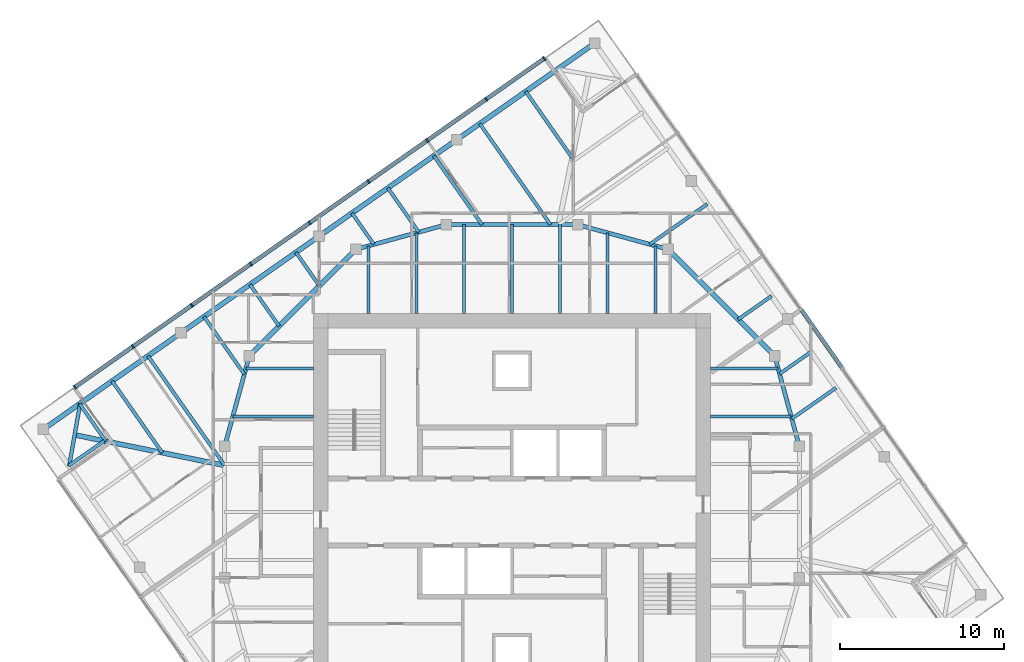
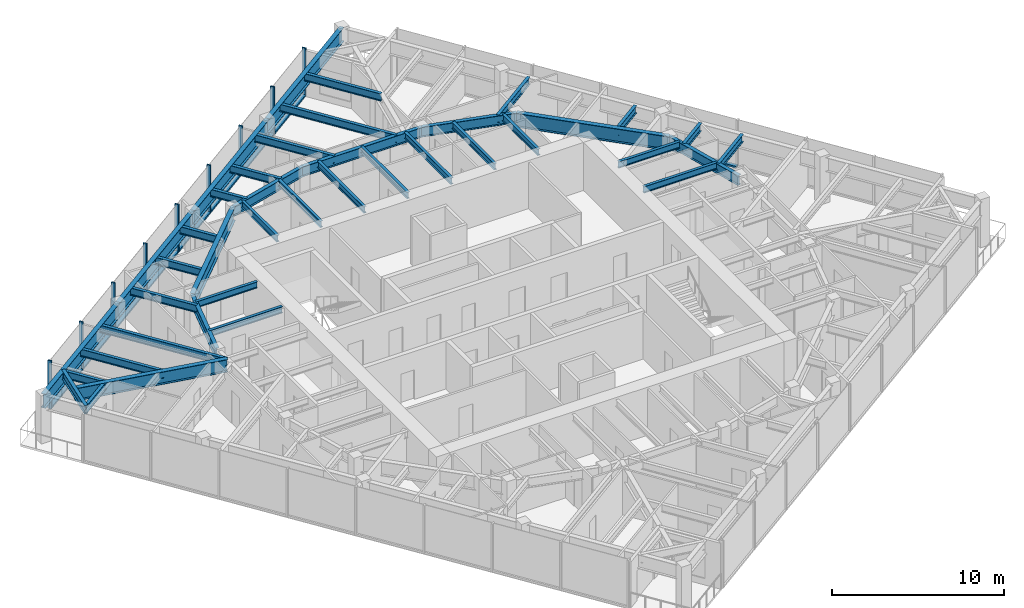
# One storey, part 4 of 13: 40 beams, 18 members, 2 elements without a shape of their own.
"""IFC4 building model written with IfcOpenShell, lengths in metres."""

from ifc_helpers import new_model, si_unit, direction, frame, origin, origin_2d, place, context, subcontext, project, spatial, rectangle, i_section, extrude, material, material_profile, profile_set, type_object, element, aggregate, save


model = new_model("IFC4")

# Units and contexts
model_context = context("Model", 3, precision=1e-05, world=origin(), true_north=direction((0.0, 1.0)))
body_context = subcontext(model_context, "Body", "Model", "MODEL_VIEW")
ifc_project = project(units=[si_unit("LENGTHUNIT", "METRE"), si_unit("AREAUNIT", "SQUARE_METRE"), si_unit("VOLUMEUNIT", "CUBIC_METRE"), si_unit("PLANEANGLEUNIT", "RADIAN"), si_unit("MASSUNIT", "GRAM", prefix="KILO")], contexts=[model_context])

# Site, building, storey
site_placement = place(None, origin())
site = spatial("IfcSite", under=ifc_project, at=site_placement, CompositionType="ELEMENT")
building_placement = place(site_placement, origin())
building = spatial("IfcBuilding", under=site, at=building_placement, Name="Torsade Residences", CompositionType="ELEMENT")
storey_placement = place(building_placement, frame((0.0, 0.0, 260.800048828125)))
storey = spatial("IfcBuildingStorey", under=building, at=storey_placement, Name="L72", CompositionType="ELEMENT", Elevation=260.800048828125)

# Beams
ifc_material_1 = material(Name="Steel grade 300", Category="steel")
ifc_material_profile_1 = material_profile(ifc_material_1, i_section(OverallWidth=0.300048828125, OverallDepth=0.89990234375, WebThickness=0.011962890625, FlangeThickness=0.02490234375, at=origin_2d()), Name="900WB175")
ifc_profile_set_1 = profile_set([ifc_material_profile_1], Name="Steel grade 300")
beam_type_1 = type_object("IfcBeamType", Name="CORNER GIRDER 900WB175", PredefinedType="BEAM", material=ifc_profile_set_1)
beam_1_placement = place(storey_placement, frame((13.364013671875, 34.696533203125, 2.800048828125), z_axis=(0.979880626756, -0.199584461589, 0.0), x_axis=(0.199584461589, 0.979880626756, 0.0)))
element("IfcBeam", 1, at=beam_1_placement, inside=storey, type_object=beam_type_1, Name="Corner girder 13 L73", PredefinedType="BEAM", context=body_context, shape_type="SweptSolid", body=[
    extrude(i_section(OverallWidth=0.300048828125, OverallDepth=0.89990234375, WebThickness=0.011962890625, FlangeThickness=0.02490234375, at=origin_2d()), origin(), (0.0, 0.0, 1.0), 9.323486328125),
])
ifc_material_2 = material(Name="Steel grade 300", Category="steel")
ifc_material_profile_2 = material_profile(ifc_material_2, i_section(OverallWidth=0.22802734375, OverallDepth=0.60205078125, WebThickness=0.010498046875, FlangeThickness=0.014892578125, FilletRadius=0.013916015625, at=origin_2d()), Name="610UB101")
ifc_profile_set_2 = profile_set([ifc_material_profile_2], Name="Steel grade 300")
beam_type_2 = type_object("IfcBeamType", Name="CORNER TRIMMER 610UB101", PredefinedType="BEAM", material=ifc_profile_set_2)
beam_2_placement = place(storey_placement, frame((13.0263671875, 32.78173828125, 2.948974609375), z_axis=(0.173645660267, 0.984808196894, 0.0), x_axis=(-0.984808196894, 0.173645660267, 0.0)))
element("IfcBeam", 2, at=beam_2_placement, inside=storey, type_object=beam_type_2, Name="Corner trimmer 13 L73", PredefinedType="BEAM", context=body_context, shape_type="SweptSolid", body=[
    extrude(i_section(OverallWidth=0.22802734375, OverallDepth=0.60205078125, WebThickness=0.010498046875, FlangeThickness=0.014892578125, FilletRadius=0.013916015625, at=origin_2d()), origin(), (0.0, 0.0, 1.0), 3.888916015625),
])
ifc_material_3 = material(Name="Steel grade 300", Category="steel")
ifc_material_profile_3 = material_profile(ifc_material_3, i_section(OverallWidth=0.300048828125, OverallDepth=1.0, WebThickness=0.01611328125, FlangeThickness=0.028076171875, at=origin_2d()), Name="1000WB215")
ifc_profile_set_3 = profile_set([ifc_material_profile_3], Name="Steel grade 300")
beam_type_3 = type_object("IfcBeamType", Name="EDGE BEAM 1000WB215", PredefinedType="SPANDREL", material=ifc_profile_set_3)
for number, where, z_axis, x_axis, name in (
    (3, (45.0341796875, 58.551025390625, 2.75), (-0.819150225126, -0.573579034377, 0.0), (0.573579034377, -0.819150225126, 0.0), "Edge beam 09 L73"),
    (4, (36.637939453125, 52.671875, 2.75), (-0.819150225126, -0.573579034377, 0.0), (0.573579034377, -0.819150225126, 0.0), "Edge beam 10 L73"),
    (5, (28.24169921875, 46.792724609375, 2.75), (-0.819150225126, -0.573579034377, 0.0), (0.573579034377, -0.819150225126, 0.0), "Edge beam 11 L73"),
):
    element("IfcBeam", number, at=place(storey_placement, frame(where, z_axis=z_axis, x_axis=x_axis)), inside=storey, type_object=beam_type_3, Name=name, PredefinedType="SPANDREL", context=body_context, shape_type="SweptSolid", body=[
        extrude(i_section(OverallWidth=0.300048828125, OverallDepth=1.0, WebThickness=0.01611328125, FlangeThickness=0.028076171875, at=origin_2d()), origin(), (0.0, 0.0, 1.0), 10.25),
    ])
beam_3_placement = place(storey_placement, frame((19.845458984375, 40.91357421875, 2.75), z_axis=(-0.819146870247, -0.573583825578, 0.0), x_axis=(0.573583825578, -0.819146870247, 0.0)))
element("IfcBeam", 6, at=beam_3_placement, inside=storey, type_object=beam_type_3, Name="Edge beam 12 L73", PredefinedType="SPANDREL", context=body_context, shape_type="SweptSolid", body=[
    extrude(i_section(OverallWidth=0.300048828125, OverallDepth=1.0, WebThickness=0.01611328125, FlangeThickness=0.028076171875, at=origin_2d()), origin(), (0.0, 0.0, 1.0), 10.250244140625),
])

# Curtain wall, members
ifc_material_4 = material(Name="Aluminium and glass", Category="aluminium")
curtain_wall_type = type_object("IfcCurtainWallType", Name="FRITTED GLASS CURTAIN WALL HIGH ZONE", PredefinedType="NOTDEFINED", material=ifc_material_4)
curtain_wall_1_placement = place(storey_placement, origin())
curtain_wall_1 = element("IfcCurtainWall", 7, at=curtain_wall_1_placement, inside=storey, type_object=curtain_wall_type, Name="Curtain wall L72 face 7", PredefinedType="NOTDEFINED")
ifc_material_5 = material(Name="Aluminium mullion", Category="aluminium")
ifc_material_profile_4 = material_profile(ifc_material_5, rectangle(XDim=0.25, YDim=0.10009765625, at=origin_2d()), Name="HIGH ZONE CURTAIN WALL MULLION 250x100")
ifc_profile_set_4 = profile_set([ifc_material_profile_4], Name="Aluminium mullion")
member_type_1 = type_object("IfcMemberType", Name="HIGH ZONE CURTAIN WALL MULLION 250x100", PredefinedType="MULLION", material=ifc_profile_set_4)
member_1_placement = place(storey_placement, frame((41.96240234375, 57.62060546875, 0.0), z_axis=(0.0, 0.0, 1.0), x_axis=(0.573576457682, -0.819152029353, 0.0)))
member_1 = element("IfcMember", 8, at=member_1_placement, type_object=member_type_1, Name="Mullion 1", PredefinedType="MULLION", context=body_context, shape_type="SweptSolid", body=[
    extrude(rectangle(XDim=0.25, YDim=0.10009765625, at=origin_2d()), origin(), (0.0, 0.0, 1.0), 3.39990234375),
])
member_2_placement = place(storey_placement, frame((38.41943359375, 55.139892578125, 0.0), z_axis=(0.0, 0.0, 1.0), x_axis=(0.573576457682, -0.819152029353, 0.0)))
member_2 = element("IfcMember", 9, at=member_2_placement, type_object=member_type_1, Name="Mullion 2", PredefinedType="MULLION", context=body_context, shape_type="SweptSolid", body=[
    extrude(rectangle(XDim=0.25, YDim=0.10009765625, at=origin_2d()), origin(), (0.0, 0.0, 1.0), 3.39990234375),
])
member_3_placement = place(storey_placement, frame((34.835693359375, 52.630615234375, 0.0), z_axis=(0.0, 0.0, 1.0), x_axis=(0.573576457682, -0.819152029353, 0.0)))
member_3 = element("IfcMember", 10, at=member_3_placement, type_object=member_type_1, Name="Mullion 3", PredefinedType="MULLION", context=body_context, shape_type="SweptSolid", body=[
    extrude(rectangle(XDim=0.25, YDim=0.10009765625, at=origin_2d()), origin(), (0.0, 0.0, 1.0), 3.39990234375),
])
member_4_placement = place(storey_placement, frame((31.251953125, 50.12109375, 0.0), z_axis=(0.0, 0.0, 1.0), x_axis=(0.573576457682, -0.819152029353, 0.0)))
member_4 = element("IfcMember", 11, at=member_4_placement, type_object=member_type_1, Name="Mullion 4", PredefinedType="MULLION", context=body_context, shape_type="SweptSolid", body=[
    extrude(rectangle(XDim=0.25, YDim=0.10009765625, at=origin_2d()), origin(), (0.0, 0.0, 1.0), 3.39990234375),
])
member_5_placement = place(storey_placement, frame((27.668212890625, 47.61181640625, 0.0), z_axis=(0.0, 0.0, 1.0), x_axis=(0.573576457682, -0.819152029353, 0.0)))
member_5 = element("IfcMember", 12, at=member_5_placement, type_object=member_type_1, Name="Mullion 5", PredefinedType="MULLION", context=body_context, shape_type="SweptSolid", body=[
    extrude(rectangle(XDim=0.25, YDim=0.10009765625, at=origin_2d()), origin(), (0.0, 0.0, 1.0), 3.39990234375),
])
member_6_placement = place(storey_placement, frame((24.084228515625, 45.102294921875, 0.0), z_axis=(0.0, 0.0, 1.0), x_axis=(0.573576457682, -0.819152029353, 0.0)))
member_6 = element("IfcMember", 13, at=member_6_placement, type_object=member_type_1, Name="Mullion 6", PredefinedType="MULLION", context=body_context, shape_type="SweptSolid", body=[
    extrude(rectangle(XDim=0.25, YDim=0.10009765625, at=origin_2d()), origin(), (0.0, 0.0, 1.0), 3.39990234375),
])
member_7_placement = place(storey_placement, frame((20.50048828125, 42.593017578125, 0.0), z_axis=(0.0, 0.0, 1.0), x_axis=(0.573576457682, -0.819152029353, 0.0)))
member_7 = element("IfcMember", 14, at=member_7_placement, type_object=member_type_1, Name="Mullion 7", PredefinedType="MULLION", context=body_context, shape_type="SweptSolid", body=[
    extrude(rectangle(XDim=0.25, YDim=0.10009765625, at=origin_2d()), origin(), (0.0, 0.0, 1.0), 3.39990234375),
])
member_8_placement = place(storey_placement, frame((16.916748046875, 40.08349609375, 0.0), z_axis=(0.0, 0.0, 1.0), x_axis=(0.573576457682, -0.819152029353, 0.0)))
member_8 = element("IfcMember", 15, at=member_8_placement, type_object=member_type_1, Name="Mullion 8", PredefinedType="MULLION", context=body_context, shape_type="SweptSolid", body=[
    extrude(rectangle(XDim=0.25, YDim=0.10009765625, at=origin_2d()), origin(), (0.0, 0.0, 1.0), 3.39990234375),
])
member_9_placement = place(storey_placement, frame((13.3740234375, 37.602783203125, 0.0), z_axis=(0.0, 0.0, 1.0), x_axis=(0.573576457682, -0.819152029353, 0.0)))
member_9 = element("IfcMember", 16, at=member_9_placement, type_object=member_type_1, Name="Mullion 9", PredefinedType="MULLION", context=body_context, shape_type="SweptSolid", body=[
    extrude(rectangle(XDim=0.25, YDim=0.10009765625, at=origin_2d()), origin(), (0.0, 0.0, 1.0), 3.39990234375),
])

# Curtain wall, member
curtain_wall_2_placement = place(storey_placement, origin())
curtain_wall_2 = element("IfcCurtainWall", 17, at=curtain_wall_2_placement, inside=storey, type_object=curtain_wall_type, Name="Curtain wall L72 face 4", PredefinedType="NOTDEFINED")
ifc_material_6 = material(Name="Aluminium transom", Category="aluminium")
ifc_material_profile_5 = material_profile(ifc_material_6, rectangle(XDim=0.25, YDim=0.1201171875, at=origin_2d()), Name="HIGH ZONE CURTAIN WALL TRANSOM 250x120")
ifc_profile_set_5 = profile_set([ifc_material_profile_5], Name="Aluminium transom")
member_type_2 = type_object("IfcMemberType", Name="HIGH ZONE CURTAIN WALL TRANSOM 250x120", PredefinedType="USERDEFINED", material=ifc_profile_set_5)
member_10_placement = place(storey_placement, frame((60.092529296875, 38.7890625, 0.06005859375), z_axis=(-0.57358498433, 0.819146058863, 0.0), x_axis=(-0.819146058863, -0.57358498433, 0.0)))
member_10 = element("IfcMember", 18, at=member_10_placement, type_object=member_type_2, Name="Transom 4.1", ObjectType="TRANSOM", PredefinedType="USERDEFINED", context=body_context, shape_type="SweptSolid", body=[
    extrude(rectangle(XDim=0.25, YDim=0.1201171875, at=origin_2d()), origin(), (0.0, 0.0, 1.0), 4.275146484375),
])
aggregate(curtain_wall_2, [member_10])

# Member
member_11_placement = place(storey_placement, frame((41.92138671875, 57.592041015625, 0.06005859375), z_axis=(-0.819155901234, -0.573570928023, 0.0), x_axis=(0.573570928023, -0.819155901234, 0.0)))
member_11 = element("IfcMember", 19, at=member_11_placement, type_object=member_type_2, Name="Transom 1.1", ObjectType="TRANSOM", PredefinedType="USERDEFINED", context=body_context, shape_type="SweptSolid", body=[
    extrude(rectangle(XDim=0.25, YDim=0.1201171875, at=origin_2d()), origin(), (0.0, 0.0, 1.0), 4.22509765625),
])

member_12_placement = place(storey_placement, frame((38.37841796875, 55.111328125, 0.06005859375), z_axis=(-0.819127269283, -0.573611817101, 0.0), x_axis=(0.573611817101, -0.819127269283, 0.0)))
member_12 = element("IfcMember", 20, at=member_12_placement, type_object=member_type_2, Name="Transom 2.1", ObjectType="TRANSOM", PredefinedType="USERDEFINED", context=body_context, shape_type="SweptSolid", body=[
    extrude(rectangle(XDim=0.25, YDim=0.1201171875, at=origin_2d()), origin(), (0.0, 0.0, 1.0), 4.27490234375),
])

member_13_placement = place(storey_placement, frame((34.794677734375, 52.601806640625, 0.06005859375), z_axis=(-0.819154102984, -0.573573496219, 0.0), x_axis=(0.573573496219, -0.819154102984, 0.0)))
member_13 = element("IfcMember", 21, at=member_13_placement, type_object=member_type_2, Name="Transom 3.1", ObjectType="TRANSOM", PredefinedType="USERDEFINED", context=body_context, shape_type="SweptSolid", body=[
    extrude(rectangle(XDim=0.25, YDim=0.1201171875, at=origin_2d()), origin(), (0.0, 0.0, 1.0), 4.27490234375),
])

member_14_placement = place(storey_placement, frame((31.2109375, 50.092529296875, 0.06005859375), z_axis=(-0.819146058863, -0.57358498433, 0.0), x_axis=(0.57358498433, -0.819146058863, 0.0)))
member_14 = element("IfcMember", 22, at=member_14_placement, type_object=member_type_2, Name="Transom 4.1", ObjectType="TRANSOM", PredefinedType="USERDEFINED", context=body_context, shape_type="SweptSolid", body=[
    extrude(rectangle(XDim=0.25, YDim=0.1201171875, at=origin_2d()), origin(), (0.0, 0.0, 1.0), 4.275146484375),
])

member_15_placement = place(storey_placement, frame((27.627197265625, 47.5830078125, 0.06005859375), z_axis=(-0.81917289067, -0.573546663483, 0.0), x_axis=(0.573546663483, -0.81917289067, 0.0)))
member_15 = element("IfcMember", 23, at=member_15_placement, type_object=member_type_2, Name="Transom 5.1", ObjectType="TRANSOM", PredefinedType="USERDEFINED", context=body_context, shape_type="SweptSolid", body=[
    extrude(rectangle(XDim=0.25, YDim=0.1201171875, at=origin_2d()), origin(), (0.0, 0.0, 1.0), 4.27490234375),
])

member_16_placement = place(storey_placement, frame((24.04345703125, 45.07373046875, 0.06005859375), z_axis=(-0.819146058863, -0.57358498433, 0.0), x_axis=(0.57358498433, -0.819146058863, 0.0)))
member_16 = element("IfcMember", 24, at=member_16_placement, type_object=member_type_2, Name="Transom 6.1", ObjectType="TRANSOM", PredefinedType="USERDEFINED", context=body_context, shape_type="SweptSolid", body=[
    extrude(rectangle(XDim=0.25, YDim=0.1201171875, at=origin_2d()), origin(), (0.0, 0.0, 1.0), 4.275146484375),
])

member_17_placement = place(storey_placement, frame((20.45947265625, 42.564208984375, 0.06005859375), z_axis=(-0.819154102984, -0.573573496219, 0.0), x_axis=(0.573573496219, -0.819154102984, 0.0)))
member_17 = element("IfcMember", 25, at=member_17_placement, type_object=member_type_2, Name="Transom 7.1", ObjectType="TRANSOM", PredefinedType="USERDEFINED", context=body_context, shape_type="SweptSolid", body=[
    extrude(rectangle(XDim=0.25, YDim=0.1201171875, at=origin_2d()), origin(), (0.0, 0.0, 1.0), 4.27490234375),
])

member_18_placement = place(storey_placement, frame((16.875732421875, 40.054931640625, 0.06005859375), z_axis=(-0.819155901234, -0.573570928023, 0.0), x_axis=(0.573570928023, -0.819155901234, 0.0)))
member_18 = element("IfcMember", 26, at=member_18_placement, type_object=member_type_2, Name="Transom 8.1", ObjectType="TRANSOM", PredefinedType="USERDEFINED", context=body_context, shape_type="SweptSolid", body=[
    extrude(rectangle(XDim=0.25, YDim=0.1201171875, at=origin_2d()), origin(), (0.0, 0.0, 1.0), 4.22509765625),
])

aggregate(curtain_wall_1, [member_1, member_2, member_3, member_4, member_5, member_6, member_7, member_8, member_9, member_11, member_12, member_13, member_14, member_15, member_16, member_17, member_18])

# Beams
ifc_material_7 = material(Name="Steel grade 300", Category="steel")
ifc_material_profile_6 = material_profile(ifc_material_7, i_section(OverallWidth=0.18994140625, OverallDepth=0.4541015625, WebThickness=0.008544921875, FlangeThickness=0.0126953125, FilletRadius=0.011474609375, at=origin_2d()), Name="460UB67.1")
ifc_profile_set_6 = profile_set([ifc_material_profile_6], Name="Steel grade 300")
beam_type_4 = type_object("IfcBeamType", Name="INNER FLOOR BEAM 460UB67.1", PredefinedType="JOIST", material=ifc_profile_set_6)
beam_4_placement = place(storey_placement, frame((31.262451171875, 42.10009765625, 3.02294921875), z_axis=(0.0, 1.0, 0.0), x_axis=(-1.0, 0.0, 0.0)))
element("IfcBeam", 27, at=beam_4_placement, inside=storey, type_object=beam_type_4, Name="Inner floor beam IN01 L73", PredefinedType="JOIST", context=body_context, shape_type="SweptSolid", body=[
    extrude(i_section(OverallWidth=0.18994140625, OverallDepth=0.4541015625, WebThickness=0.008544921875, FlangeThickness=0.0126953125, FilletRadius=0.011474609375, at=origin_2d()), origin(), (0.0, 0.0, 1.0), 4.10791015625),
])
beam_5_placement = place(storey_placement, frame((34.175048828125, 42.10009765625, 3.02294921875), z_axis=(0.0, 1.0, 0.0), x_axis=(-1.0, 0.0, 0.0)))
element("IfcBeam", 28, at=beam_5_placement, inside=storey, type_object=beam_type_4, Name="Inner floor beam IN02 L73", PredefinedType="JOIST", context=body_context, shape_type="SweptSolid", body=[
    extrude(i_section(OverallWidth=0.18994140625, OverallDepth=0.4541015625, WebThickness=0.008544921875, FlangeThickness=0.0126953125, FilletRadius=0.011474609375, at=origin_2d()), origin(), (0.0, 0.0, 1.0), 4.902099609375),
])
for number, where, z_axis, x_axis, name in (
    (29, (37.08740234375, 42.10009765625, 3.02294921875), (0.0, 1.0, 0.0), (-1.0, 0.0, 0.0), "Inner floor beam IN03 L73"),
    (30, (40.0, 42.10009765625, 3.02294921875), (0.0, 1.0, 0.0), (-1.0, 0.0, 0.0), "Inner floor beam IN04 L73"),
    (31, (42.91259765625, 42.10009765625, 3.02294921875), (0.0, 1.0, 0.0), (-1.0, 0.0, 0.0), "Inner floor beam IN05 L73"),
):
    element("IfcBeam", number, at=place(storey_placement, frame(where, z_axis=z_axis, x_axis=x_axis)), inside=storey, type_object=beam_type_4, Name=name, PredefinedType="JOIST", context=body_context, shape_type="SweptSolid", body=[
        extrude(i_section(OverallWidth=0.18994140625, OverallDepth=0.4541015625, WebThickness=0.008544921875, FlangeThickness=0.0126953125, FilletRadius=0.011474609375, at=origin_2d()), origin(), (0.0, 0.0, 1.0), 5.39990234375),
    ])
beam_6_placement = place(storey_placement, frame((45.824951171875, 42.10009765625, 3.02294921875), z_axis=(0.0, 1.0, 0.0), x_axis=(-1.0, 0.0, 0.0)))
element("IfcBeam", 32, at=beam_6_placement, inside=storey, type_object=beam_type_4, Name="Inner floor beam IN06 L73", PredefinedType="JOIST", context=body_context, shape_type="SweptSolid", body=[
    extrude(i_section(OverallWidth=0.18994140625, OverallDepth=0.4541015625, WebThickness=0.008544921875, FlangeThickness=0.0126953125, FilletRadius=0.011474609375, at=origin_2d()), origin(), (0.0, 0.0, 1.0), 4.902099609375),
])
beam_7_placement = place(storey_placement, frame((48.737548828125, 42.10009765625, 3.02294921875), z_axis=(0.0, 1.0, 0.0), x_axis=(-1.0, 0.0, 0.0)))
element("IfcBeam", 33, at=beam_7_placement, inside=storey, type_object=beam_type_4, Name="Inner floor beam IN07 L73", PredefinedType="JOIST", context=body_context, shape_type="SweptSolid", body=[
    extrude(i_section(OverallWidth=0.18994140625, OverallDepth=0.4541015625, WebThickness=0.008544921875, FlangeThickness=0.0126953125, FilletRadius=0.011474609375, at=origin_2d()), origin(), (0.0, 0.0, 1.0), 4.10791015625),
])
beam_8_placement = place(storey_placement, frame((52.10009765625, 35.824951171875, 3.02294921875), z_axis=(1.0, 0.0, 0.0), x_axis=(0.0, 1.0, 0.0)))
element("IfcBeam", 34, at=beam_8_placement, inside=storey, type_object=beam_type_4, Name="Inner floor beam IE06 L73", PredefinedType="JOIST", context=body_context, shape_type="SweptSolid", body=[
    extrude(i_section(OverallWidth=0.18994140625, OverallDepth=0.4541015625, WebThickness=0.008544921875, FlangeThickness=0.0126953125, FilletRadius=0.011474609375, at=origin_2d()), origin(), (0.0, 0.0, 1.0), 4.902099609375),
])
for number, where, z_axis, x_axis, name in (
    (35, (52.10009765625, 38.737548828125, 3.02294921875), (1.0, 0.0, 0.0), (0.0, 1.0, 0.0), "Inner floor beam IE07 L73"),
    (36, (27.89990234375, 38.737548828125, 3.02294921875), (-1.0, 0.0, 0.0), (0.0, -1.0, 0.0), "Inner floor beam IW01 L73"),
):
    element("IfcBeam", number, at=place(storey_placement, frame(where, z_axis=z_axis, x_axis=x_axis)), inside=storey, type_object=beam_type_4, Name=name, PredefinedType="JOIST", context=body_context, shape_type="SweptSolid", body=[
        extrude(i_section(OverallWidth=0.18994140625, OverallDepth=0.4541015625, WebThickness=0.008544921875, FlangeThickness=0.0126953125, FilletRadius=0.011474609375, at=origin_2d()), origin(), (0.0, 0.0, 1.0), 4.10791015625),
    ])
beam_9_placement = place(storey_placement, frame((27.89990234375, 35.824951171875, 3.02294921875), z_axis=(-1.0, 0.0, 0.0), x_axis=(0.0, -1.0, 0.0)))
element("IfcBeam", 37, at=beam_9_placement, inside=storey, type_object=beam_type_4, Name="Inner floor beam IW02 L73", PredefinedType="JOIST", context=body_context, shape_type="SweptSolid", body=[
    extrude(i_section(OverallWidth=0.18994140625, OverallDepth=0.4541015625, WebThickness=0.008544921875, FlangeThickness=0.0126953125, FilletRadius=0.011474609375, at=origin_2d()), origin(), (0.0, 0.0, 1.0), 4.902099609375),
])
ifc_material_8 = material(Name="Steel grade 300", Category="steel")
ifc_material_profile_7 = material_profile(ifc_material_8, i_section(OverallWidth=0.300048828125, OverallDepth=1.0, WebThickness=0.01611328125, FlangeThickness=0.028076171875, at=origin_2d()), Name="1000WB215")
ifc_profile_set_7 = profile_set([ifc_material_profile_7], Name="Steel grade 300")
beam_type_5 = type_object("IfcBeamType", Name="RING CORNER GIRDER 1000WB215", PredefinedType="BEAM", material=ifc_profile_set_7)
for number, where, z_axis, x_axis, name in (
    (38, (56.0, 39.5, 2.75), (-0.707106781187, 0.707106781187, 0.0), (-0.707106781187, -0.707106781187, 0.0), "Ring girder IR03 L73"),
    (39, (30.5, 46.0, 2.75), (-0.707106781187, -0.707106781187, 0.0), (0.707106781187, -0.707106781187, 0.0), "Ring girder IR07 L73"),
):
    element("IfcBeam", number, at=place(storey_placement, frame(where, z_axis=z_axis, x_axis=x_axis)), inside=storey, type_object=beam_type_5, Name=name, PredefinedType="BEAM", context=body_context, shape_type="SweptSolid", body=[
        extrude(i_section(OverallWidth=0.300048828125, OverallDepth=1.0, WebThickness=0.01611328125, FlangeThickness=0.028076171875, at=origin_2d()), origin(), (0.0, 0.0, 1.0), 9.1923828125),
    ])
ifc_material_9 = material(Name="Steel grade 300", Category="steel")
ifc_material_profile_8 = material_profile(ifc_material_9, i_section(OverallWidth=0.25, OverallDepth=0.699951171875, WebThickness=0.010009765625, FlangeThickness=0.02001953125, at=origin_2d()), Name="700WB130")
ifc_profile_set_8 = profile_set([ifc_material_profile_8], Name="Steel grade 300")
beam_type_6 = type_object("IfcBeamType", Name="RING GIRDER 700WB130", PredefinedType="BEAM", material=ifc_profile_set_8)
for number, where, z_axis, x_axis, name in (
    (40, (57.5, 34.0, 2.89990234375), (-0.263117405792, 0.964763821238, 0.0), (-0.964763821238, -0.263117405792, 0.0), "Ring girder IR02 L73"),
    (41, (49.5, 46.0, 2.89990234375), (-0.964763821238, 0.263117405792, 0.0), (-0.263117405792, -0.964763821238, 0.0), "Ring girder IR04 L73"),
):
    element("IfcBeam", number, at=place(storey_placement, frame(where, z_axis=z_axis, x_axis=x_axis)), inside=storey, type_object=beam_type_6, Name=name, PredefinedType="BEAM", context=body_context, shape_type="SweptSolid", body=[
        extrude(i_section(OverallWidth=0.25, OverallDepth=0.699951171875, WebThickness=0.010009765625, FlangeThickness=0.02001953125, at=origin_2d()), origin(), (0.0, 0.0, 1.0), 5.700927734375),
    ])
beam_10_placement = place(storey_placement, frame((44.0, 47.5, 2.89990234375), z_axis=(-1.0, 0.0, 0.0), x_axis=(0.0, -1.0, 0.0)))
element("IfcBeam", 42, at=beam_10_placement, inside=storey, type_object=beam_type_6, Name="Ring girder IR05 L73", PredefinedType="BEAM", context=body_context, shape_type="SweptSolid", body=[
    extrude(i_section(OverallWidth=0.25, OverallDepth=0.699951171875, WebThickness=0.010009765625, FlangeThickness=0.02001953125, at=origin_2d()), origin(), (0.0, 0.0, 1.0), 8.0),
])
for number, where, z_axis, x_axis, name in (
    (43, (36.0, 47.5, 2.89990234375), (-0.964763821238, -0.263117405792, 0.0), (0.263117405792, -0.964763821238, 0.0), "Ring girder IR06 L73"),
    (44, (24.0, 39.5, 2.89990234375), (-0.263117405792, -0.964763821238, 0.0), (0.964763821238, -0.263117405792, 0.0), "Ring girder IR08 L73"),
):
    element("IfcBeam", number, at=place(storey_placement, frame(where, z_axis=z_axis, x_axis=x_axis)), inside=storey, type_object=beam_type_6, Name=name, PredefinedType="BEAM", context=body_context, shape_type="SweptSolid", body=[
        extrude(i_section(OverallWidth=0.25, OverallDepth=0.699951171875, WebThickness=0.010009765625, FlangeThickness=0.02001953125, at=origin_2d()), origin(), (0.0, 0.0, 1.0), 5.700927734375),
    ])
ifc_material_10 = material(Name="Steel grade 300", Category="steel")
ifc_material_profile_9 = material_profile(ifc_material_10, i_section(OverallWidth=0.208984375, OverallDepth=0.532958984375, WebThickness=0.01025390625, FlangeThickness=0.015625, FilletRadius=0.013916015625, at=origin_2d()), Name="530UB92.4")
ifc_profile_set_9 = profile_set([ifc_material_profile_9], Name="Steel grade 300")
beam_type_7 = type_object("IfcBeamType", Name="SECONDARY BEAM 530UB92.4", PredefinedType="JOIST", material=ifc_profile_set_9)
beam_11_placement = place(storey_placement, frame((59.732177734375, 37.56005859375, 2.9833984375), z_axis=(-0.819169032504, -0.573552173902, 0.0), x_axis=(0.573552173902, -0.819169032504, 0.0)))
element("IfcBeam", 45, at=beam_11_placement, inside=storey, type_object=beam_type_7, Name="Floor beam FE05 L73", PredefinedType="JOIST", context=body_context, shape_type="SweptSolid", body=[
    extrude(i_section(OverallWidth=0.208984375, OverallDepth=0.532958984375, WebThickness=0.01025390625, FlangeThickness=0.015625, FilletRadius=0.013916015625, at=origin_2d()), origin(), (0.0, 0.0, 1.0), 3.283203125),
])
beam_12_placement = place(storey_placement, frame((58.20263671875, 39.74462890625, 2.9833984375), z_axis=(-0.819157953557, -0.573567996949, 0.0), x_axis=(0.573567996949, -0.819157953557, 0.0)))
element("IfcBeam", 46, at=beam_12_placement, inside=storey, type_object=beam_type_7, Name="Floor beam FE06 L73", PredefinedType="JOIST", context=body_context, shape_type="SweptSolid", body=[
    extrude(i_section(OverallWidth=0.208984375, OverallDepth=0.532958984375, WebThickness=0.01025390625, FlangeThickness=0.015625, FilletRadius=0.013916015625, at=origin_2d()), origin(), (0.0, 0.0, 1.0), 2.326171875),
])
beam_13_placement = place(storey_placement, frame((55.812744140625, 43.15771484375, 2.9833984375), z_axis=(-0.819172078752, -0.573547823109, 0.0), x_axis=(0.573547823109, -0.819172078752, 0.0)))
element("IfcBeam", 47, at=beam_13_placement, inside=storey, type_object=beam_type_7, Name="Floor beam FE07 L73", PredefinedType="JOIST", context=body_context, shape_type="SweptSolid", body=[
    extrude(i_section(OverallWidth=0.208984375, OverallDepth=0.532958984375, WebThickness=0.01025390625, FlangeThickness=0.015625, FilletRadius=0.013916015625, at=origin_2d()), origin(), (0.0, 0.0, 1.0), 2.491943359375),
])
beam_14_placement = place(storey_placement, frame((51.893310546875, 48.755126953125, 2.9833984375), z_axis=(-0.819148759439, -0.573581127575, 0.0), x_axis=(0.573581127575, -0.819148759439, 0.0)))
element("IfcBeam", 48, at=beam_14_placement, inside=storey, type_object=beam_type_7, Name="Floor beam FE09 L73", PredefinedType="JOIST", context=body_context, shape_type="SweptSolid", body=[
    extrude(i_section(OverallWidth=0.208984375, OverallDepth=0.532958984375, WebThickness=0.01025390625, FlangeThickness=0.015625, FilletRadius=0.013916015625, at=origin_2d()), origin(), (0.0, 0.0, 1.0), 4.276123046875),
])
beam_15_placement = place(storey_placement, frame((40.836181640625, 55.611328125, 2.9833984375), z_axis=(0.573575295634, -0.819152843027, 0.0), x_axis=(0.819152843027, 0.573575295634, 0.0)))
element("IfcBeam", 49, at=beam_15_placement, inside=storey, type_object=beam_type_7, Name="Floor beam FN02 L73", PredefinedType="JOIST", context=body_context, shape_type="SweptSolid", body=[
    extrude(i_section(OverallWidth=0.208984375, OverallDepth=0.532958984375, WebThickness=0.01025390625, FlangeThickness=0.015625, FilletRadius=0.013916015625, at=origin_2d()), origin(), (0.0, 0.0, 1.0), 4.931884765625),
])
beam_16_placement = place(storey_placement, frame((38.037353515625, 53.651611328125, 2.9833984375), z_axis=(0.573573614851, -0.819154019917, 0.0), x_axis=(0.819154019917, 0.573573614851, 0.0)))
element("IfcBeam", 50, at=beam_16_placement, inside=storey, type_object=beam_type_7, Name="Floor beam FN03 L73", PredefinedType="JOIST", context=body_context, shape_type="SweptSolid", body=[
    extrude(i_section(OverallWidth=0.208984375, OverallDepth=0.532958984375, WebThickness=0.01025390625, FlangeThickness=0.015625, FilletRadius=0.013916015625, at=origin_2d()), origin(), (0.0, 0.0, 1.0), 7.509765625),
])
beam_17_placement = place(storey_placement, frame((35.238525390625, 51.69189453125, 2.9833984375), z_axis=(0.573590411882, -0.819142258339, 0.0), x_axis=(0.819142258339, 0.573590411882, 0.0)))
element("IfcBeam", 51, at=beam_17_placement, inside=storey, type_object=beam_type_7, Name="Floor beam FN04 L73", PredefinedType="JOIST", context=body_context, shape_type="SweptSolid", body=[
    extrude(i_section(OverallWidth=0.208984375, OverallDepth=0.532958984375, WebThickness=0.01025390625, FlangeThickness=0.015625, FilletRadius=0.013916015625, at=origin_2d()), origin(), (0.0, 0.0, 1.0), 5.117431640625),
])
beam_18_placement = place(storey_placement, frame((32.43994140625, 49.732177734375, 2.9833984375), z_axis=(0.573552173902, -0.819169032504, 0.0), x_axis=(0.819169032504, 0.573552173902, 0.0)))
element("IfcBeam", 52, at=beam_18_placement, inside=storey, type_object=beam_type_7, Name="Floor beam FN05 L73", PredefinedType="JOIST", context=body_context, shape_type="SweptSolid", body=[
    extrude(i_section(OverallWidth=0.208984375, OverallDepth=0.532958984375, WebThickness=0.01025390625, FlangeThickness=0.015625, FilletRadius=0.013916015625, at=origin_2d()), origin(), (0.0, 0.0, 1.0), 3.283203125),
])
beam_19_placement = place(storey_placement, frame((30.25537109375, 48.20263671875, 2.9833984375), z_axis=(0.573567996949, -0.819157953557, 0.0), x_axis=(0.819157953557, 0.573567996949, 0.0)))
element("IfcBeam", 53, at=beam_19_placement, inside=storey, type_object=beam_type_7, Name="Floor beam FN06 L73", PredefinedType="JOIST", context=body_context, shape_type="SweptSolid", body=[
    extrude(i_section(OverallWidth=0.208984375, OverallDepth=0.532958984375, WebThickness=0.01025390625, FlangeThickness=0.015625, FilletRadius=0.013916015625, at=origin_2d()), origin(), (0.0, 0.0, 1.0), 2.326171875),
])
beam_20_placement = place(storey_placement, frame((26.84228515625, 45.812744140625, 2.9833984375), z_axis=(0.573547823109, -0.819172078752, 0.0), x_axis=(0.819172078752, 0.573547823109, 0.0)))
element("IfcBeam", 54, at=beam_20_placement, inside=storey, type_object=beam_type_7, Name="Floor beam FN07 L73", PredefinedType="JOIST", context=body_context, shape_type="SweptSolid", body=[
    extrude(i_section(OverallWidth=0.208984375, OverallDepth=0.532958984375, WebThickness=0.01025390625, FlangeThickness=0.015625, FilletRadius=0.013916015625, at=origin_2d()), origin(), (0.0, 0.0, 1.0), 2.491943359375),
])
beam_21_placement = place(storey_placement, frame((24.04345703125, 43.85302734375, 2.9833984375), z_axis=(0.573600013401, -0.819135534955, 0.0), x_axis=(0.819135534955, 0.573600013401, 0.0)))
element("IfcBeam", 55, at=beam_21_placement, inside=storey, type_object=beam_type_7, Name="Floor beam FN08 L73", PredefinedType="JOIST", context=body_context, shape_type="SweptSolid", body=[
    extrude(i_section(OverallWidth=0.208984375, OverallDepth=0.532958984375, WebThickness=0.01025390625, FlangeThickness=0.015625, FilletRadius=0.013916015625, at=origin_2d()), origin(), (0.0, 0.0, 1.0), 3.09423828125),
])
beam_22_placement = place(storey_placement, frame((21.244873046875, 41.893310546875, 2.9833984375), z_axis=(0.573581127575, -0.819148759439, 0.0), x_axis=(0.819148759439, 0.573581127575, 0.0)))
element("IfcBeam", 56, at=beam_22_placement, inside=storey, type_object=beam_type_7, Name="Floor beam FN09 L73", PredefinedType="JOIST", context=body_context, shape_type="SweptSolid", body=[
    extrude(i_section(OverallWidth=0.208984375, OverallDepth=0.532958984375, WebThickness=0.01025390625, FlangeThickness=0.015625, FilletRadius=0.013916015625, at=origin_2d()), origin(), (0.0, 0.0, 1.0), 4.276123046875),
])
beam_23_placement = place(storey_placement, frame((17.83154296875, 39.50341796875, 2.9833984375), z_axis=(0.573577087251, -0.819151588523, 0.0), x_axis=(0.819151588523, 0.573577087251, 0.0)))
element("IfcBeam", 57, at=beam_23_placement, inside=storey, type_object=beam_type_7, Name="Floor beam FN10 L73", PredefinedType="JOIST", context=body_context, shape_type="SweptSolid", body=[
    extrude(i_section(OverallWidth=0.208984375, OverallDepth=0.532958984375, WebThickness=0.01025390625, FlangeThickness=0.015625, FilletRadius=0.013916015625, at=origin_2d()), origin(), (0.0, 0.0, 1.0), 8.13916015625),
])
beam_24_placement = place(storey_placement, frame((15.647216796875, 37.973876953125, 2.9833984375), z_axis=(0.573597638513, -0.819137197966, 0.0), x_axis=(0.819137197966, 0.573597638513, 0.0)))
element("IfcBeam", 58, at=beam_24_placement, inside=storey, type_object=beam_type_7, Name="Floor beam FN11 L73", PredefinedType="JOIST", context=body_context, shape_type="SweptSolid", body=[
    extrude(i_section(OverallWidth=0.208984375, OverallDepth=0.532958984375, WebThickness=0.01025390625, FlangeThickness=0.015625, FilletRadius=0.013916015625, at=origin_2d()), origin(), (0.0, 0.0, 1.0), 5.328369140625),
])
beam_25_placement = place(storey_placement, frame((13.667724609375, 36.587646484375, 2.9833984375), z_axis=(0.573521270253, -0.819190669238, 0.0), x_axis=(0.819190669238, 0.573521270253, 0.0)))
element("IfcBeam", 59, at=beam_25_placement, inside=storey, type_object=beam_type_7, Name="Floor beam FN12 L73", PredefinedType="JOIST", context=body_context, shape_type="SweptSolid", body=[
    extrude(i_section(OverallWidth=0.208984375, OverallDepth=0.532958984375, WebThickness=0.01025390625, FlangeThickness=0.015625, FilletRadius=0.013916015625, at=origin_2d()), origin(), (0.0, 0.0, 1.0), 2.780517578125),
])
beam_26_placement = place(storey_placement, frame((13.00244140625, 32.815673828125, 2.9833984375), z_axis=(0.819140666445, 0.573592685254, 0.0), x_axis=(-0.573592685254, 0.819140666445, 0.0)))
element("IfcBeam", 60, at=beam_26_placement, inside=storey, type_object=beam_type_7, Name="Floor beam FW01 L73", PredefinedType="JOIST", context=body_context, shape_type="SweptSolid", body=[
    extrude(i_section(OverallWidth=0.208984375, OverallDepth=0.532958984375, WebThickness=0.01025390625, FlangeThickness=0.015625, FilletRadius=0.013916015625, at=origin_2d()), origin(), (0.0, 0.0, 1.0), 2.639892578125),
])

save(model, "model.ifc")
